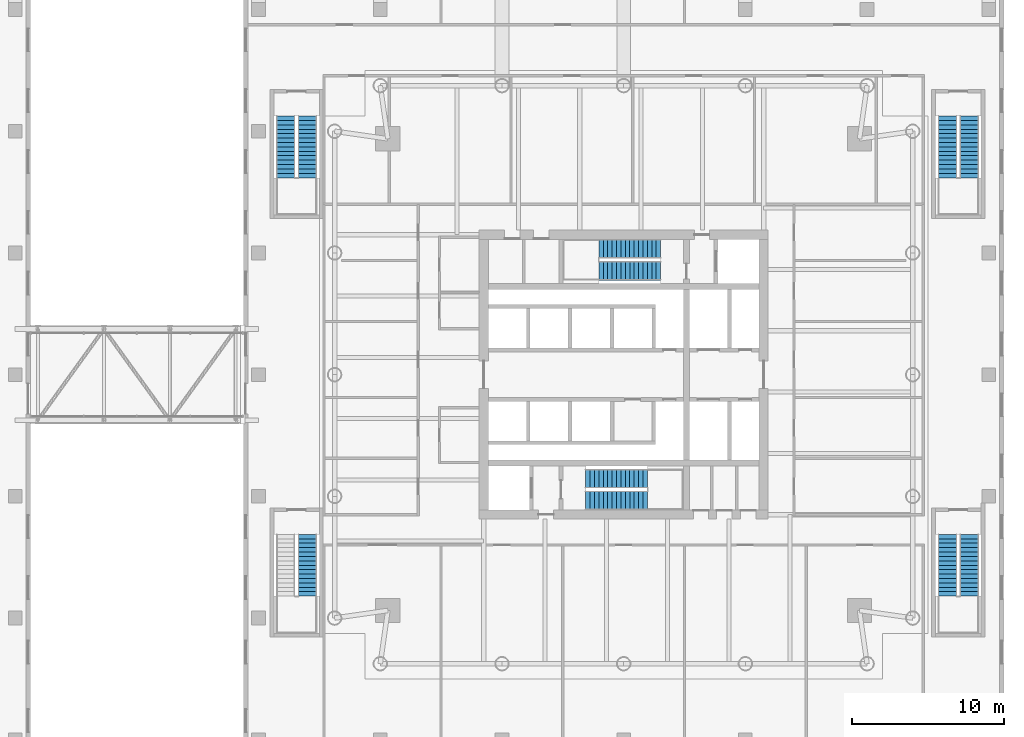
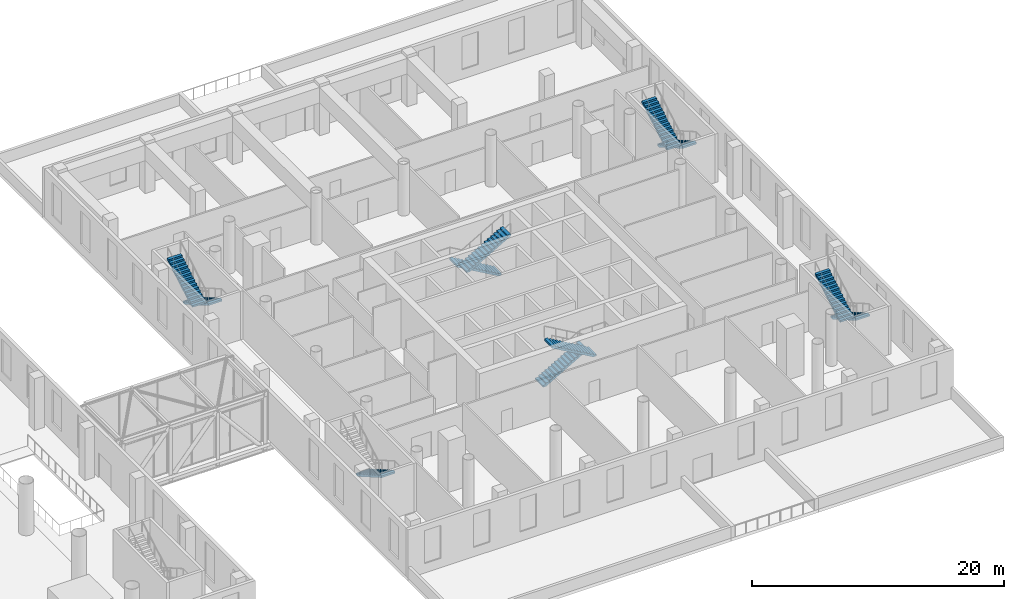
# One storey, part 20 of 23: 11 stair flights, 6 elements without a shape of their own.
"""IFC4 building model written with IfcOpenShell, lengths in metres."""

from ifc_helpers import new_model, si_unit, direction, frame, origin, place, context, subcontext, project, spatial, polyline, outline, extrude, material, type_object, element, aggregate, save


model = new_model("IFC4")

# Units and contexts
model_context = context("Model", 3, precision=1e-05, world=origin(), true_north=direction((0.0, 1.0)))
body_context = subcontext(model_context, "Body", "Model", "MODEL_VIEW")
ifc_project = project(units=[si_unit("LENGTHUNIT", "METRE"), si_unit("AREAUNIT", "SQUARE_METRE"), si_unit("VOLUMEUNIT", "CUBIC_METRE"), si_unit("PLANEANGLEUNIT", "RADIAN"), si_unit("MASSUNIT", "GRAM", prefix="KILO")], contexts=[model_context])

# Site, building, storey
site_placement = place(None, origin())
site = spatial("IfcSite", under=ifc_project, at=site_placement, CompositionType="ELEMENT")
building_placement = place(site_placement, origin())
building = spatial("IfcBuilding", under=site, at=building_placement, Name="Ostroluk Exchange", CompositionType="ELEMENT")
storey_placement = place(building_placement, frame((0.0, 0.0, 11.0)))
storey = spatial("IfcBuildingStorey", under=building, at=storey_placement, Name="L02", CompositionType="ELEMENT", Elevation=11.0)

# Stair, stair flights
ifc_material_1 = material(Name="Concrete C30/37", Category="concrete")
stair_type = type_object("IfcStairType", Name="Exit stair half turn 5000", PredefinedType="HALF_TURN_STAIR", material=ifc_material_1)
stair_1_placement = place(storey_placement, origin())
stair_1 = element("IfcStair", 1, at=stair_1_placement, inside=storey, type_object=stair_type, Name="Stair T2-S1 L02", PredefinedType="HALF_TURN_STAIR")
ifc_material_2 = material(Name="Concrete C30/37", Category="concrete")
stair_flight_type = type_object("IfcStairFlightType", Name="Stair flight 15 risers 166.7 x 290", PredefinedType="STRAIGHT", material=ifc_material_2)
stair_flight_1_placement = place(storey_placement, frame((114.5, 39.175048828125, 0.0), z_axis=(0.0, 0.0, 1.0), x_axis=(1.0, 0.0, 0.0)))
stair_flight_1 = element("IfcStairFlight", 2, at=stair_flight_1_placement, type_object=stair_flight_type, Name="T2-S1 flight 1", NumberOfRisers=15, NumberOfTreads=14, PredefinedType="STRAIGHT", RiserHeight=0.166666667, TreadLength=0.29, context=body_context, shape_type="SweptSolid", body=[
    extrude(outline(polyline([(0.0, 0.0), (0.0, 0.166748046875), (0.2900390625, 0.166748046875), (0.2900390625, 0.333251953125), (0.580078125, 0.333251953125), (0.580078125, 0.5), (0.8701171875, 0.5), (0.8701171875, 0.666748046875), (1.159912109375, 0.666748046875), (1.159912109375, 0.833251953125), (1.449951171875, 0.833251953125), (1.449951171875, 1.0), (1.739990234375, 1.0), (1.739990234375, 1.166748046875), (2.030029296875, 1.166748046875), (2.030029296875, 1.333251953125), (2.320068359375, 1.333251953125), (2.320068359375, 1.5), (2.610107421875, 1.5), (2.610107421875, 1.666748046875), (2.89990234375, 1.666748046875), (2.89990234375, 1.833251953125), (3.18994140625, 1.833251953125), (3.18994140625, 2.0), (3.47998046875, 2.0), (3.47998046875, 2.166748046875), (3.77001953125, 2.166748046875), (3.77001953125, 2.333251953125), (4.06005859375, 2.333251953125), (4.06005859375, 2.5), (4.06005859375, 2.160400390625), (0.30078125, 0.0), (0.0, 0.0)])), frame((0.0, 0.625, 0.0), z_axis=(0.0, -1.0, 0.0), x_axis=(1.0, 0.0, 0.0)), (0.0, 0.0, 1.0), 1.25),
])
stair_flight_2_placement = place(storey_placement, frame((118.56005859375, 37.72509765625, 2.5), z_axis=(0.0, 0.0, 1.0), x_axis=(-1.0, 0.0, 0.0)))
stair_flight_2 = element("IfcStairFlight", 3, at=stair_flight_2_placement, type_object=stair_flight_type, Name="T2-S1 flight 2", NumberOfRisers=15, NumberOfTreads=14, PredefinedType="STRAIGHT", RiserHeight=0.166666667, TreadLength=0.29, context=body_context, shape_type="SweptSolid", body=[
    extrude(outline(polyline([(0.0, 0.0), (0.0, 0.166748046875), (0.2900390625, 0.166748046875), (0.2900390625, 0.333251953125), (0.580078125, 0.333251953125), (0.580078125, 0.5), (0.8701171875, 0.5), (0.8701171875, 0.666748046875), (1.159912109375, 0.666748046875), (1.159912109375, 0.833251953125), (1.449951171875, 0.833251953125), (1.449951171875, 1.0), (1.739990234375, 1.0), (1.739990234375, 1.166748046875), (2.030029296875, 1.166748046875), (2.030029296875, 1.333251953125), (2.320068359375, 1.333251953125), (2.320068359375, 1.5), (2.610107421875, 1.5), (2.610107421875, 1.666748046875), (2.89990234375, 1.666748046875), (2.89990234375, 1.833251953125), (3.18994140625, 1.833251953125), (3.18994140625, 2.0), (3.47998046875, 2.0), (3.47998046875, 2.166748046875), (3.77001953125, 2.166748046875), (3.77001953125, 2.333251953125), (4.06005859375, 2.333251953125), (4.06005859375, 2.5), (4.06005859375, 2.160400390625), (0.30078125, 0.0), (0.0, 0.0)])), frame((0.0, 0.625, 0.0), z_axis=(0.0, -1.0, 0.0), x_axis=(1.0, 0.0, 0.0)), (0.0, 0.0, 1.0), 1.25),
])
aggregate(stair_1, [stair_flight_1, stair_flight_2])

stair_2_placement = place(storey_placement, origin())
stair_2 = element("IfcStair", 4, at=stair_2_placement, inside=storey, type_object=stair_type, Name="Stair T2-S2 L02", PredefinedType="HALF_TURN_STAIR")
stair_flight_3_placement = place(storey_placement, frame((119.429931640625, 54.27490234375, 0.0), z_axis=(0.0, 0.0, 1.0), x_axis=(-1.0, 0.0, 0.0)))
stair_flight_3 = element("IfcStairFlight", 5, at=stair_flight_3_placement, type_object=stair_flight_type, Name="T2-S2 flight 1", NumberOfRisers=15, NumberOfTreads=14, PredefinedType="STRAIGHT", RiserHeight=0.166666667, TreadLength=0.29, context=body_context, shape_type="SweptSolid", body=[
    extrude(outline(polyline([(0.0, 0.0), (0.0, 0.166748046875), (0.2900390625, 0.166748046875), (0.2900390625, 0.333251953125), (0.580078125, 0.333251953125), (0.580078125, 0.5), (0.8701171875, 0.5), (0.8701171875, 0.666748046875), (1.159912109375, 0.666748046875), (1.159912109375, 0.833251953125), (1.449951171875, 0.833251953125), (1.449951171875, 1.0), (1.739990234375, 1.0), (1.739990234375, 1.166748046875), (2.030029296875, 1.166748046875), (2.030029296875, 1.333251953125), (2.320068359375, 1.333251953125), (2.320068359375, 1.5), (2.610107421875, 1.5), (2.610107421875, 1.666748046875), (2.89990234375, 1.666748046875), (2.89990234375, 1.833251953125), (3.18994140625, 1.833251953125), (3.18994140625, 2.0), (3.47998046875, 2.0), (3.47998046875, 2.166748046875), (3.77001953125, 2.166748046875), (3.77001953125, 2.333251953125), (4.06005859375, 2.333251953125), (4.06005859375, 2.5), (4.06005859375, 2.160400390625), (0.30078125, 0.0), (0.0, 0.0)])), frame((0.0, 0.625, 0.0), z_axis=(0.0, -1.0, 0.0), x_axis=(1.0, 0.0, 0.0)), (0.0, 0.0, 1.0), 1.25),
])
stair_flight_4_placement = place(storey_placement, frame((115.3701171875, 52.824951171875, 2.5), z_axis=(0.0, 0.0, 1.0), x_axis=(1.0, 0.0, 0.0)))
stair_flight_4 = element("IfcStairFlight", 6, at=stair_flight_4_placement, type_object=stair_flight_type, Name="T2-S2 flight 2", NumberOfRisers=15, NumberOfTreads=14, PredefinedType="STRAIGHT", RiserHeight=0.166666667, TreadLength=0.29, context=body_context, shape_type="SweptSolid", body=[
    extrude(outline(polyline([(0.0, 0.0), (0.0, 0.166748046875), (0.2900390625, 0.166748046875), (0.2900390625, 0.333251953125), (0.580078125, 0.333251953125), (0.580078125, 0.5), (0.8701171875, 0.5), (0.8701171875, 0.666748046875), (1.159912109375, 0.666748046875), (1.159912109375, 0.833251953125), (1.449951171875, 0.833251953125), (1.449951171875, 1.0), (1.739990234375, 1.0), (1.739990234375, 1.166748046875), (2.030029296875, 1.166748046875), (2.030029296875, 1.333251953125), (2.320068359375, 1.333251953125), (2.320068359375, 1.5), (2.610107421875, 1.5), (2.610107421875, 1.666748046875), (2.89990234375, 1.666748046875), (2.89990234375, 1.833251953125), (3.18994140625, 1.833251953125), (3.18994140625, 2.0), (3.47998046875, 2.0), (3.47998046875, 2.166748046875), (3.77001953125, 2.166748046875), (3.77001953125, 2.333251953125), (4.06005859375, 2.333251953125), (4.06005859375, 2.5), (4.06005859375, 2.160400390625), (0.30078125, 0.0), (0.0, 0.0)])), frame((0.0, 0.625, 0.0), z_axis=(0.0, -1.0, 0.0), x_axis=(1.0, 0.0, 0.0)), (0.0, 0.0, 1.0), 1.25),
])
aggregate(stair_2, [stair_flight_3, stair_flight_4])

# Stair, stair flight
stair_3_placement = place(storey_placement, origin())
stair_3 = element("IfcStair", 7, at=stair_3_placement, inside=storey, type_object=stair_type, Name="Stair PS5 L02", PredefinedType="HALF_TURN_STAIR")
stair_flight_5_placement = place(storey_placement, frame((96.22509765625, 35.5, 0.0), z_axis=(0.0, 0.0, 1.0), x_axis=(0.0, -1.0, 0.0)))
stair_flight_5 = element("IfcStairFlight", 8, at=stair_flight_5_placement, type_object=stair_flight_type, Name="PS5 flight 1", NumberOfRisers=15, NumberOfTreads=14, PredefinedType="STRAIGHT", RiserHeight=0.166666667, TreadLength=0.29, context=body_context, shape_type="SweptSolid", body=[
    extrude(outline(polyline([(0.0, 0.0), (0.0, 0.166748046875), (0.2900390625, 0.166748046875), (0.2900390625, 0.333251953125), (0.580078125, 0.333251953125), (0.580078125, 0.5), (0.8701171875, 0.5), (0.8701171875, 0.666748046875), (1.159912109375, 0.666748046875), (1.159912109375, 0.833251953125), (1.449951171875, 0.833251953125), (1.449951171875, 1.0), (1.739990234375, 1.0), (1.739990234375, 1.166748046875), (2.030029296875, 1.166748046875), (2.030029296875, 1.333251953125), (2.320068359375, 1.333251953125), (2.320068359375, 1.5), (2.610107421875, 1.5), (2.610107421875, 1.666748046875), (2.89990234375, 1.666748046875), (2.89990234375, 1.833251953125), (3.18994140625, 1.833251953125), (3.18994140625, 2.0), (3.47998046875, 2.0), (3.47998046875, 2.166748046875), (3.77001953125, 2.166748046875), (3.77001953125, 2.333251953125), (4.06005859375, 2.333251953125), (4.06005859375, 2.5), (4.06005859375, 2.160400390625), (0.30078125, 0.0), (0.0, 0.0)])), frame((0.0, 0.625, 0.0), z_axis=(0.0, -1.0, 0.0), x_axis=(1.0, 0.0, 0.0)), (0.0, 0.0, 1.0), 1.25),
])
aggregate(stair_3, [stair_flight_5])

# Stair, stair flights
stair_4_placement = place(storey_placement, origin())
stair_4 = element("IfcStair", 9, at=stair_4_placement, inside=storey, type_object=stair_type, Name="Stair PS6 L02", PredefinedType="HALF_TURN_STAIR")
stair_flight_6_placement = place(storey_placement, frame((96.22509765625, 63.0, 0.0), z_axis=(0.0, 0.0, 1.0), x_axis=(0.0, -1.0, 0.0)))
stair_flight_6 = element("IfcStairFlight", 10, at=stair_flight_6_placement, type_object=stair_flight_type, Name="PS6 flight 1", NumberOfRisers=15, NumberOfTreads=14, PredefinedType="STRAIGHT", RiserHeight=0.166666667, TreadLength=0.29, context=body_context, shape_type="SweptSolid", body=[
    extrude(outline(polyline([(0.0, 0.0), (0.0, 0.166748046875), (0.2900390625, 0.166748046875), (0.2900390625, 0.333251953125), (0.580078125, 0.333251953125), (0.580078125, 0.5), (0.8701171875, 0.5), (0.8701171875, 0.666748046875), (1.159912109375, 0.666748046875), (1.159912109375, 0.833251953125), (1.449951171875, 0.833251953125), (1.449951171875, 1.0), (1.739990234375, 1.0), (1.739990234375, 1.166748046875), (2.030029296875, 1.166748046875), (2.030029296875, 1.333251953125), (2.320068359375, 1.333251953125), (2.320068359375, 1.5), (2.610107421875, 1.5), (2.610107421875, 1.666748046875), (2.89990234375, 1.666748046875), (2.89990234375, 1.833251953125), (3.18994140625, 1.833251953125), (3.18994140625, 2.0), (3.47998046875, 2.0), (3.47998046875, 2.166748046875), (3.77001953125, 2.166748046875), (3.77001953125, 2.333251953125), (4.06005859375, 2.333251953125), (4.06005859375, 2.5), (4.06005859375, 2.160400390625), (0.30078125, 0.0), (0.0, 0.0)])), frame((0.0, 0.625, 0.0), z_axis=(0.0, -1.0, 0.0), x_axis=(1.0, 0.0, 0.0)), (0.0, 0.0, 1.0), 1.25),
])
stair_flight_7_placement = place(storey_placement, frame((94.77490234375, 58.93994140625, 2.5), z_axis=(0.0, 0.0, 1.0), x_axis=(0.0, 1.0, 0.0)))
stair_flight_7 = element("IfcStairFlight", 11, at=stair_flight_7_placement, type_object=stair_flight_type, Name="PS6 flight 2", NumberOfRisers=15, NumberOfTreads=14, PredefinedType="STRAIGHT", RiserHeight=0.166666667, TreadLength=0.29, context=body_context, shape_type="SweptSolid", body=[
    extrude(outline(polyline([(0.0, 0.0), (0.0, 0.166748046875), (0.2900390625, 0.166748046875), (0.2900390625, 0.333251953125), (0.580078125, 0.333251953125), (0.580078125, 0.5), (0.8701171875, 0.5), (0.8701171875, 0.666748046875), (1.159912109375, 0.666748046875), (1.159912109375, 0.833251953125), (1.449951171875, 0.833251953125), (1.449951171875, 1.0), (1.739990234375, 1.0), (1.739990234375, 1.166748046875), (2.030029296875, 1.166748046875), (2.030029296875, 1.333251953125), (2.320068359375, 1.333251953125), (2.320068359375, 1.5), (2.610107421875, 1.5), (2.610107421875, 1.666748046875), (2.89990234375, 1.666748046875), (2.89990234375, 1.833251953125), (3.18994140625, 1.833251953125), (3.18994140625, 2.0), (3.47998046875, 2.0), (3.47998046875, 2.166748046875), (3.77001953125, 2.166748046875), (3.77001953125, 2.333251953125), (4.06005859375, 2.333251953125), (4.06005859375, 2.5), (4.06005859375, 2.160400390625), (0.30078125, 0.0), (0.0, 0.0)])), frame((0.0, 0.625, 0.0), z_axis=(0.0, -1.0, 0.0), x_axis=(1.0, 0.0, 0.0)), (0.0, 0.0, 1.0), 1.25),
])
aggregate(stair_4, [stair_flight_6, stair_flight_7])

stair_5_placement = place(storey_placement, origin())
stair_5 = element("IfcStair", 12, at=stair_5_placement, inside=storey, type_object=stair_type, Name="Stair PS7 L02", PredefinedType="HALF_TURN_STAIR")
stair_flight_8_placement = place(storey_placement, frame((139.72509765625, 35.5, 0.0), z_axis=(0.0, 0.0, 1.0), x_axis=(0.0, -1.0, 0.0)))
stair_flight_8 = element("IfcStairFlight", 13, at=stair_flight_8_placement, type_object=stair_flight_type, Name="PS7 flight 1", NumberOfRisers=15, NumberOfTreads=14, PredefinedType="STRAIGHT", RiserHeight=0.166666667, TreadLength=0.29, context=body_context, shape_type="SweptSolid", body=[
    extrude(outline(polyline([(0.0, 0.0), (0.0, 0.166748046875), (0.2900390625, 0.166748046875), (0.2900390625, 0.333251953125), (0.580078125, 0.333251953125), (0.580078125, 0.5), (0.8701171875, 0.5), (0.8701171875, 0.666748046875), (1.159912109375, 0.666748046875), (1.159912109375, 0.833251953125), (1.449951171875, 0.833251953125), (1.449951171875, 1.0), (1.739990234375, 1.0), (1.739990234375, 1.166748046875), (2.030029296875, 1.166748046875), (2.030029296875, 1.333251953125), (2.320068359375, 1.333251953125), (2.320068359375, 1.5), (2.610107421875, 1.5), (2.610107421875, 1.666748046875), (2.89990234375, 1.666748046875), (2.89990234375, 1.833251953125), (3.18994140625, 1.833251953125), (3.18994140625, 2.0), (3.47998046875, 2.0), (3.47998046875, 2.166748046875), (3.77001953125, 2.166748046875), (3.77001953125, 2.333251953125), (4.06005859375, 2.333251953125), (4.06005859375, 2.5), (4.06005859375, 2.160400390625), (0.30078125, 0.0), (0.0, 0.0)])), frame((0.0, 0.625, 0.0), z_axis=(0.0, -1.0, 0.0), x_axis=(1.0, 0.0, 0.0)), (0.0, 0.0, 1.0), 1.25),
])
stair_flight_9_placement = place(storey_placement, frame((138.27490234375, 31.43994140625, 2.5), z_axis=(0.0, 0.0, 1.0), x_axis=(0.0, 1.0, 0.0)))
stair_flight_9 = element("IfcStairFlight", 14, at=stair_flight_9_placement, type_object=stair_flight_type, Name="PS7 flight 2", NumberOfRisers=15, NumberOfTreads=14, PredefinedType="STRAIGHT", RiserHeight=0.166666667, TreadLength=0.29, context=body_context, shape_type="SweptSolid", body=[
    extrude(outline(polyline([(0.0, 0.0), (0.0, 0.166748046875), (0.2900390625, 0.166748046875), (0.2900390625, 0.333251953125), (0.580078125, 0.333251953125), (0.580078125, 0.5), (0.8701171875, 0.5), (0.8701171875, 0.666748046875), (1.159912109375, 0.666748046875), (1.159912109375, 0.833251953125), (1.449951171875, 0.833251953125), (1.449951171875, 1.0), (1.739990234375, 1.0), (1.739990234375, 1.166748046875), (2.030029296875, 1.166748046875), (2.030029296875, 1.333251953125), (2.320068359375, 1.333251953125), (2.320068359375, 1.5), (2.610107421875, 1.5), (2.610107421875, 1.666748046875), (2.89990234375, 1.666748046875), (2.89990234375, 1.833251953125), (3.18994140625, 1.833251953125), (3.18994140625, 2.0), (3.47998046875, 2.0), (3.47998046875, 2.166748046875), (3.77001953125, 2.166748046875), (3.77001953125, 2.333251953125), (4.06005859375, 2.333251953125), (4.06005859375, 2.5), (4.06005859375, 2.160400390625), (0.30078125, 0.0), (0.0, 0.0)])), frame((0.0, 0.625, 0.0), z_axis=(0.0, -1.0, 0.0), x_axis=(1.0, 0.0, 0.0)), (0.0, 0.0, 1.0), 1.25),
])
aggregate(stair_5, [stair_flight_8, stair_flight_9])

stair_6_placement = place(storey_placement, origin())
stair_6 = element("IfcStair", 15, at=stair_6_placement, inside=storey, type_object=stair_type, Name="Stair PS8 L02", PredefinedType="HALF_TURN_STAIR")
stair_flight_10_placement = place(storey_placement, frame((139.72509765625, 63.0, 0.0), z_axis=(0.0, 0.0, 1.0), x_axis=(0.0, -1.0, 0.0)))
stair_flight_10 = element("IfcStairFlight", 16, at=stair_flight_10_placement, type_object=stair_flight_type, Name="PS8 flight 1", NumberOfRisers=15, NumberOfTreads=14, PredefinedType="STRAIGHT", RiserHeight=0.166666667, TreadLength=0.29, context=body_context, shape_type="SweptSolid", body=[
    extrude(outline(polyline([(0.0, 0.0), (0.0, 0.166748046875), (0.2900390625, 0.166748046875), (0.2900390625, 0.333251953125), (0.580078125, 0.333251953125), (0.580078125, 0.5), (0.8701171875, 0.5), (0.8701171875, 0.666748046875), (1.159912109375, 0.666748046875), (1.159912109375, 0.833251953125), (1.449951171875, 0.833251953125), (1.449951171875, 1.0), (1.739990234375, 1.0), (1.739990234375, 1.166748046875), (2.030029296875, 1.166748046875), (2.030029296875, 1.333251953125), (2.320068359375, 1.333251953125), (2.320068359375, 1.5), (2.610107421875, 1.5), (2.610107421875, 1.666748046875), (2.89990234375, 1.666748046875), (2.89990234375, 1.833251953125), (3.18994140625, 1.833251953125), (3.18994140625, 2.0), (3.47998046875, 2.0), (3.47998046875, 2.166748046875), (3.77001953125, 2.166748046875), (3.77001953125, 2.333251953125), (4.06005859375, 2.333251953125), (4.06005859375, 2.5), (4.06005859375, 2.160400390625), (0.30078125, 0.0), (0.0, 0.0)])), frame((0.0, 0.625, 0.0), z_axis=(0.0, -1.0, 0.0), x_axis=(1.0, 0.0, 0.0)), (0.0, 0.0, 1.0), 1.25),
])
stair_flight_11_placement = place(storey_placement, frame((138.27490234375, 58.93994140625, 2.5), z_axis=(0.0, 0.0, 1.0), x_axis=(0.0, 1.0, 0.0)))
stair_flight_11 = element("IfcStairFlight", 17, at=stair_flight_11_placement, type_object=stair_flight_type, Name="PS8 flight 2", NumberOfRisers=15, NumberOfTreads=14, PredefinedType="STRAIGHT", RiserHeight=0.166666667, TreadLength=0.29, context=body_context, shape_type="SweptSolid", body=[
    extrude(outline(polyline([(0.0, 0.0), (0.0, 0.166748046875), (0.2900390625, 0.166748046875), (0.2900390625, 0.333251953125), (0.580078125, 0.333251953125), (0.580078125, 0.5), (0.8701171875, 0.5), (0.8701171875, 0.666748046875), (1.159912109375, 0.666748046875), (1.159912109375, 0.833251953125), (1.449951171875, 0.833251953125), (1.449951171875, 1.0), (1.739990234375, 1.0), (1.739990234375, 1.166748046875), (2.030029296875, 1.166748046875), (2.030029296875, 1.333251953125), (2.320068359375, 1.333251953125), (2.320068359375, 1.5), (2.610107421875, 1.5), (2.610107421875, 1.666748046875), (2.89990234375, 1.666748046875), (2.89990234375, 1.833251953125), (3.18994140625, 1.833251953125), (3.18994140625, 2.0), (3.47998046875, 2.0), (3.47998046875, 2.166748046875), (3.77001953125, 2.166748046875), (3.77001953125, 2.333251953125), (4.06005859375, 2.333251953125), (4.06005859375, 2.5), (4.06005859375, 2.160400390625), (0.30078125, 0.0), (0.0, 0.0)])), frame((0.0, 0.625, 0.0), z_axis=(0.0, -1.0, 0.0), x_axis=(1.0, 0.0, 0.0)), (0.0, 0.0, 1.0), 1.25),
])
aggregate(stair_6, [stair_flight_10, stair_flight_11])

save(model, "model.ifc")
